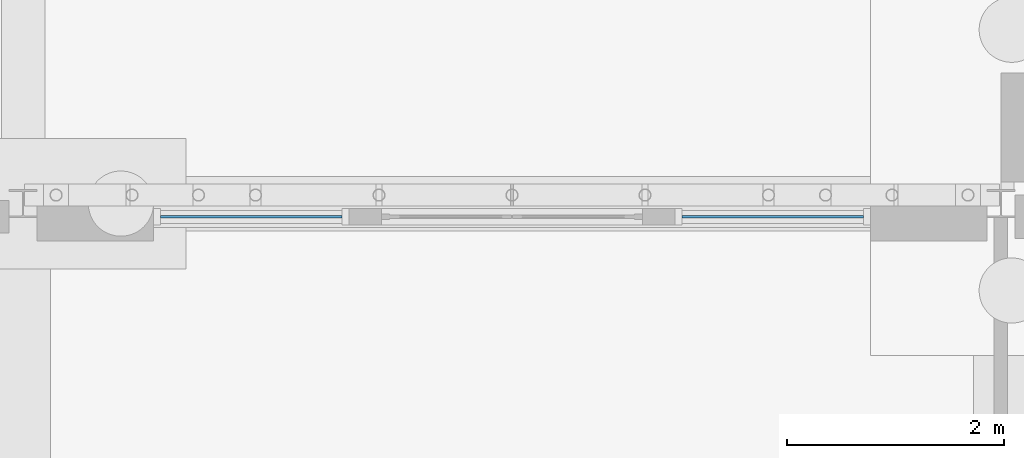
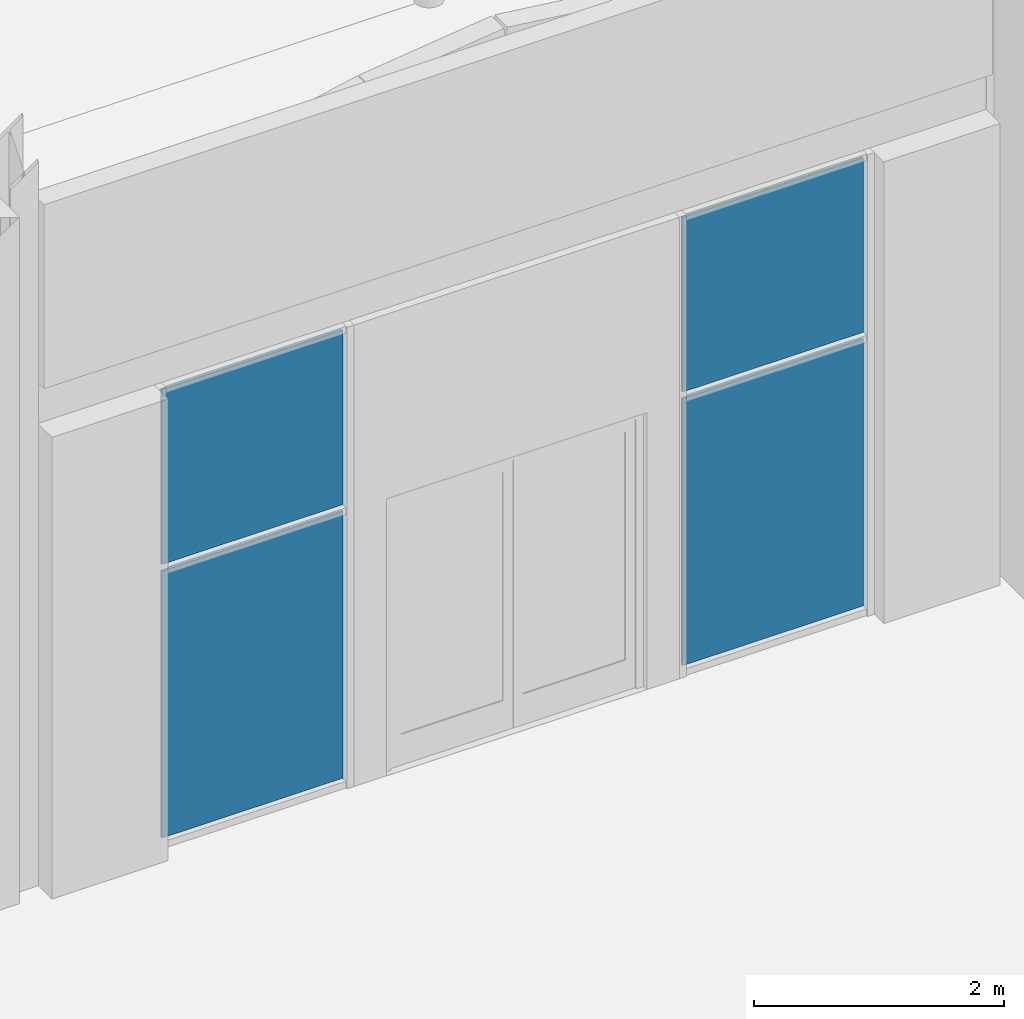
# One storey, part 79 of 250: 4 plates, 2 elements without a shape of their own.
"""IFC4 building model written with IfcOpenShell, lengths in metres."""

import ifcopenshell
import ifcopenshell.guid

model = None  # the IFC model being written
_history = None  # IfcOwnerHistory: only IFC2X3 demands one
_inside = {}  # id of a spatial element -> (the spatial element, [elements in it])
_under = {}  # id of a project, library or spatial element -> (it, [spatial elements below it])
_declared = {}  # id of a project -> (the project, [libraries it declares])
_typed = {}  # id of a type object -> (the type object, [elements of that type])
_made_of = {}  # id of a material, layer set ... -> (it, [elements and type objects made of it])


def new_model(schema):
    """Start an empty IFC model of exactly this schema.

    Asked for "IFC4X3", IfcOpenShell would pick the latest addendum, in which some entities
    have other attributes; the version numbers below select the first issue.
    IFC2X3 requires an IfcOwnerHistory on every rooted entity: one is made here for all.
    """
    global model, _history
    if schema == "IFC4X3":
        model = ifcopenshell.file(schema_version=(4, 3, 0, 0))
    else:
        model = ifcopenshell.file(schema=schema)
    _inside.clear()
    _under.clear()
    _declared.clear()
    _typed.clear()
    _made_of.clear()
    _history = None
    if model.schema == "IFC2X3":
        org = make("IfcOrganization", Name="unknown")
        user = make(
            "IfcPersonAndOrganization",
            ThePerson=make("IfcPerson", FamilyName="unknown"),
            TheOrganization=org,
        )
        app = make(
            "IfcApplication",
            ApplicationDeveloper=org,
            Version="unknown",
            ApplicationFullName="unknown",
            ApplicationIdentifier="unknown",
        )
        _history = make(
            "IfcOwnerHistory",
            OwningUser=user,
            OwningApplication=app,
            ChangeAction="ADDED",
            CreationDate=0,
        )
    return model


def make(cls, **values):
    """One entity of the class cls with the attributes given. An attribute that is None is left unset."""
    return model.create_entity(
        cls, **{name: value for name, value in values.items() if value is not None}
    )


def rooted(cls, **values):
    """An entity with a GlobalId (a new one), such as an element, a storey or a relation."""
    return make(cls, GlobalId=ifcopenshell.guid.new(), OwnerHistory=_history, **values)


def si_unit(unit_type, name, prefix=None):
    """IfcSIUnit, for example si_unit("LENGTHUNIT", "METRE", prefix="MILLI")."""
    return make("IfcSIUnit", UnitType=unit_type, Prefix=prefix, Name=name)


def assignment(units):
    """IfcUnitAssignment: the units of a project."""
    return None if units is None else make("IfcUnitAssignment", Units=units)


def point(xyz):
    """IfcCartesianPoint."""
    return None if xyz is None else make("IfcCartesianPoint", Coordinates=xyz)


def direction(xyz):
    """IfcDirection."""
    return None if xyz is None else make("IfcDirection", DirectionRatios=xyz)


def frame(location, z_axis=None, x_axis=None):
    """IfcAxis2Placement3D, a coordinate frame: its origin and axes. An axis left out is left unset."""
    return make(
        "IfcAxis2Placement3D",
        Location=point(location),
        Axis=direction(z_axis),
        RefDirection=direction(x_axis),
    )


def frame_2d(location, x_axis=None):
    """IfcAxis2Placement2D, a coordinate frame in the plane: its origin and x axis."""
    return make(
        "IfcAxis2Placement2D", Location=point(location), RefDirection=direction(x_axis)
    )


def origin():
    """The frame at (0, 0, 0) with its axes left unset."""
    return frame((0.0, 0.0, 0.0))


def origin_2d():
    """The frame at (0, 0) in the plane with its x axis left unset."""
    return frame_2d((0.0, 0.0))


def place(relative_to, where):
    """IfcLocalPlacement: puts the frame where relative to a parent placement (None: the world)."""
    return make(
        "IfcLocalPlacement", PlacementRelTo=relative_to, RelativePlacement=where
    )


def context(
    kind, dimensions, precision=None, world=None, true_north=None, identifier=None
):
    """IfcGeometricRepresentationContext, for example the 3D "Model" context."""
    return make(
        "IfcGeometricRepresentationContext",
        ContextIdentifier=identifier,
        ContextType=kind,
        CoordinateSpaceDimension=dimensions,
        Precision=precision,
        WorldCoordinateSystem=world,
        TrueNorth=true_north,
    )


def subcontext(parent, identifier, kind, view, scale=None):
    """IfcGeometricRepresentationSubContext, for example "Body" below "Model"."""
    return make(
        "IfcGeometricRepresentationSubContext",
        ContextIdentifier=identifier,
        ContextType=kind,
        ParentContext=parent,
        TargetScale=scale,
        TargetView=view,
    )


def project(units=None, contexts=None):
    """IfcProject with its units and contexts."""
    return rooted(
        "IfcProject",
        Name="project",
        RepresentationContexts=contexts,
        UnitsInContext=assignment(units),
    )


def spatial(cls, under=None, at=None, **own):
    """A site, building, storey or space (cls), placed at a placement, below another one or the project."""
    s = rooted(cls, ObjectPlacement=at, **own)
    if under is not None:
        _under.setdefault(under.id(), (under, []))[1].append(s)
    return s


def profile(cls, at=None, kind="AREA", **sizes):
    """A parametric profile (cls). Its sizes go by their IFC names, for example OverallWidth=200.0."""
    return make(cls, ProfileType=kind, Position=at, **sizes)


def rectangle(**sizes):
    """IfcRectangleProfileDef."""
    return profile("IfcRectangleProfileDef", **sizes)


def extrude(swept, where, along, depth):
    """IfcExtrudedAreaSolid: the profile swept, set in the frame where, extruded along a direction by depth."""
    return make(
        "IfcExtrudedAreaSolid",
        SweptArea=swept,
        Position=where,
        ExtrudedDirection=direction(along),
        Depth=depth,
    )


def shape(context_of_items, identifier, shape_type, items):
    """IfcShapeRepresentation: the items that make up one representation, for example the "Body"."""
    return make(
        "IfcShapeRepresentation",
        ContextOfItems=context_of_items,
        RepresentationIdentifier=identifier,
        RepresentationType=shape_type,
        Items=items,
    )


def material(Name=None, Category=None):
    """IfcMaterial."""
    return make("IfcMaterial", Name=Name, Category=Category)


def layer(
    of_material, thickness, ventilated=None, Name=None, Category=None, Priority=None
):
    """IfcMaterialLayer: one layer of a wall or slab, of a material (None: an air gap)."""
    return make(
        "IfcMaterialLayer",
        Material=of_material,
        LayerThickness=thickness,
        IsVentilated=ventilated,
        Name=Name,
        Category=Category,
        Priority=Priority,
    )


def layer_set(layers, Name=None):
    """IfcMaterialLayerSet."""
    return make("IfcMaterialLayerSet", MaterialLayers=layers, LayerSetName=Name)


def made_of(thing, what):
    """Note that an element or type object is made of a material, layer set ...; save() writes the relation."""
    if what is not None:
        _made_of.setdefault(what.id(), (what, []))[1].append(thing)
    return thing


def type_object(cls, material=None, **own):
    """A type object (cls), such as IfcWallType, which elements share."""
    return made_of(rooted(cls, **own), material)


def element(
    cls,
    number,
    at=None,
    inside=None,
    cuts=None,
    type_object=None,
    material=None,
    context=None,
    identifier="Body",
    shape_type=None,
    held_by="IfcProductDefinitionShape",
    body=None,
    shapes=None,
    **own,
):
    """One element of the class cls, such as IfcWall. Its Tag is "e" and its number.

    at: its placement. inside: the storey or other place that contains it. cuts: it is an
    opening in that element (IfcRelVoidsElement). A single representation is given by context,
    identifier, shape_type and body (its items); several are given by shapes. held_by: the class
    of the entity that holds the representations. save() writes the other relations.
    """
    e = rooted(cls, Tag="e%d" % number, ObjectPlacement=at, **own)
    if body is not None:
        shapes = [shape(context, identifier, shape_type, body)]
    if shapes is not None:
        e.Representation = make(held_by, Representations=shapes)
    if inside is not None:
        _inside.setdefault(inside.id(), (inside, []))[1].append(e)
    if cuts is not None:
        rooted(
            "IfcRelVoidsElement", RelatingBuildingElement=cuts, RelatedOpeningElement=e
        )
    if type_object is not None:
        _typed.setdefault(type_object.id(), (type_object, []))[1].append(e)
    return made_of(e, material)


def aggregate(whole, parts):
    """IfcRelAggregates: a whole, such as a stair, and the parts it consists of."""
    return rooted("IfcRelAggregates", RelatingObject=whole, RelatedObjects=parts)


def save(model, path):
    """Write the relations noted so far, then the file.

    IfcRelAggregates (storeys below a building ...), IfcRelContainedInSpatialStructure (elements
    in a storey), IfcRelDefinesByType, IfcRelAssociatesMaterial and IfcRelDeclares: one each for
    every whole, place, type object, material and project.
    """
    for whole, parts in _under.values():
        aggregate(whole, parts)
    for where, things in _inside.values():
        rooted(
            "IfcRelContainedInSpatialStructure",
            RelatedElements=things,
            RelatingStructure=where,
        )
    for kind, things in _typed.values():
        rooted("IfcRelDefinesByType", RelatedObjects=things, RelatingType=kind)
    for what, things in _made_of.values():
        rooted("IfcRelAssociatesMaterial", RelatedObjects=things, RelatingMaterial=what)
    for by, libraries in _declared.values():
        rooted("IfcRelDeclares", RelatingContext=by, RelatedDefinitions=libraries)
    model.write(path)


model = new_model("IFC4")

# Units and contexts
model_context = context("Model", 3, precision=1e-05, world=origin(), true_north=direction((0.0, 1.0)))
body_context = subcontext(model_context, "Body", "Model", "MODEL_VIEW")
ifc_project = project(units=[si_unit("LENGTHUNIT", "METRE"), si_unit("AREAUNIT", "SQUARE_METRE"), si_unit("VOLUMEUNIT", "CUBIC_METRE"), si_unit("PLANEANGLEUNIT", "RADIAN"), si_unit("MASSUNIT", "GRAM", prefix="KILO")], contexts=[model_context])

# Site, building, storey
site_placement = place(None, origin())
site = spatial("IfcSite", under=ifc_project, at=site_placement, CompositionType="ELEMENT")
building_placement = place(site_placement, origin())
building = spatial("IfcBuilding", under=site, at=building_placement, Name="Baradari Gate Terminus", CompositionType="ELEMENT")
storey_placement = place(building_placement, origin())
storey = spatial("IfcBuildingStorey", under=building, at=storey_placement, Name="L00", CompositionType="ELEMENT", Elevation=0.0)

# Curtain wall, plates
ifc_material_1 = material(Name="Aluminium 6063-T6", Category="aluminium")
curtain_wall_type = type_object("IfcCurtainWallType", Name="Curtain wall CW-2 shopfront", PredefinedType="NOTDEFINED", material=ifc_material_1)
curtain_wall_1_placement = place(storey_placement, origin())
curtain_wall_1 = element("IfcCurtainWall", 1, at=curtain_wall_1_placement, inside=storey, type_object=curtain_wall_type, Name="Shopfront curtain wall CW-2 HN bay 14 L00", PredefinedType="NOTDEFINED")
ifc_material_2 = material(Name="Insulating glass unit", Category="glass")
ifc_layer = layer(ifc_material_2, 0.02001953125)
ifc_layer_set = layer_set([ifc_layer], Name="Insulating glass unit")
plate_type = type_object("IfcPlateType", Name="Curtain wall glazing unit CP-2 20", PredefinedType="CURTAIN_PANEL", material=ifc_layer_set)
plate_1_placement = place(storey_placement, frame((128.10009765625, 107.87841796875, 0.06494140625), z_axis=(0.0, 0.0, 1.0), x_axis=(1.0, 0.0, 0.0)))
plate_1 = element("IfcPlate", 2, at=plate_1_placement, type_object=plate_type, Name="CW-2 panel 1.1", PredefinedType="CURTAIN_PANEL", context=body_context, shape_type="SweptSolid", body=[
    extrude(rectangle(XDim=1.669921875, YDim=0.02001953125, at=origin_2d()), origin(), (0.0, 0.0, 1.0), 2.6025390625),
])
plate_2_placement = place(storey_placement, frame((128.10009765625, 107.87841796875, 2.732421875), z_axis=(0.0, 0.0, 1.0), x_axis=(1.0, 0.0, 0.0)))
plate_2 = element("IfcPlate", 3, at=plate_2_placement, type_object=plate_type, Name="CW-2 panel 1.2", PredefinedType="CURTAIN_PANEL", context=body_context, shape_type="SweptSolid", body=[
    extrude(rectangle(XDim=1.669921875, YDim=0.02001953125, at=origin_2d()), origin(), (0.0, 0.0, 1.0), 1.702392578125),
])
aggregate(curtain_wall_1, [plate_1, plate_2])

curtain_wall_2_placement = place(storey_placement, origin())
curtain_wall_2 = element("IfcCurtainWall", 4, at=curtain_wall_2_placement, inside=storey, type_object=curtain_wall_type, Name="Shopfront curtain wall CW-2 HN bay 14 L00", PredefinedType="NOTDEFINED")
plate_3_placement = place(storey_placement, frame((132.89990234375, 107.87841796875, 0.06494140625), z_axis=(0.0, 0.0, 1.0), x_axis=(1.0, 0.0, 0.0)))
plate_3 = element("IfcPlate", 5, at=plate_3_placement, type_object=plate_type, Name="CW-2 panel 1.1", PredefinedType="CURTAIN_PANEL", context=body_context, shape_type="SweptSolid", body=[
    extrude(rectangle(XDim=1.669921875, YDim=0.02001953125, at=origin_2d()), origin(), (0.0, 0.0, 1.0), 2.6025390625),
])
plate_4_placement = place(storey_placement, frame((132.89990234375, 107.87841796875, 2.732421875), z_axis=(0.0, 0.0, 1.0), x_axis=(1.0, 0.0, 0.0)))
plate_4 = element("IfcPlate", 6, at=plate_4_placement, type_object=plate_type, Name="CW-2 panel 1.2", PredefinedType="CURTAIN_PANEL", context=body_context, shape_type="SweptSolid", body=[
    extrude(rectangle(XDim=1.669921875, YDim=0.02001953125, at=origin_2d()), origin(), (0.0, 0.0, 1.0), 1.702392578125),
])
aggregate(curtain_wall_2, [plate_3, plate_4])

save(model, "model.ifc")
